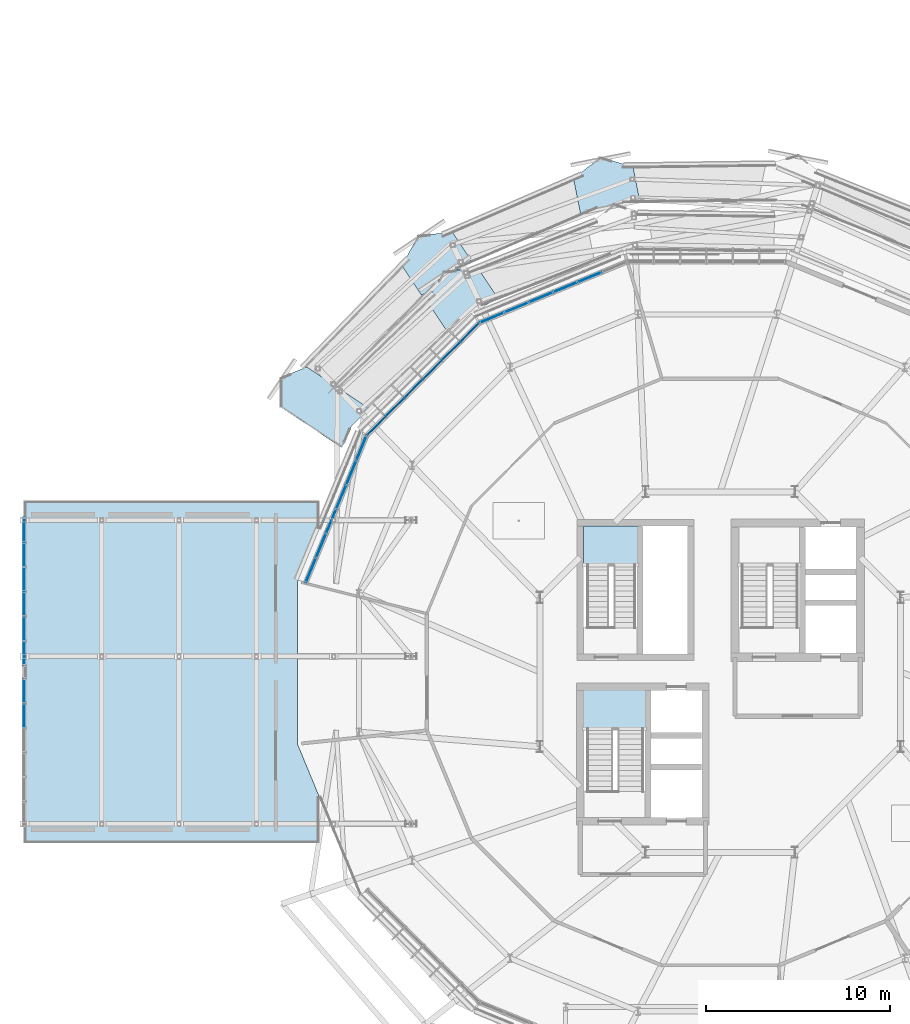
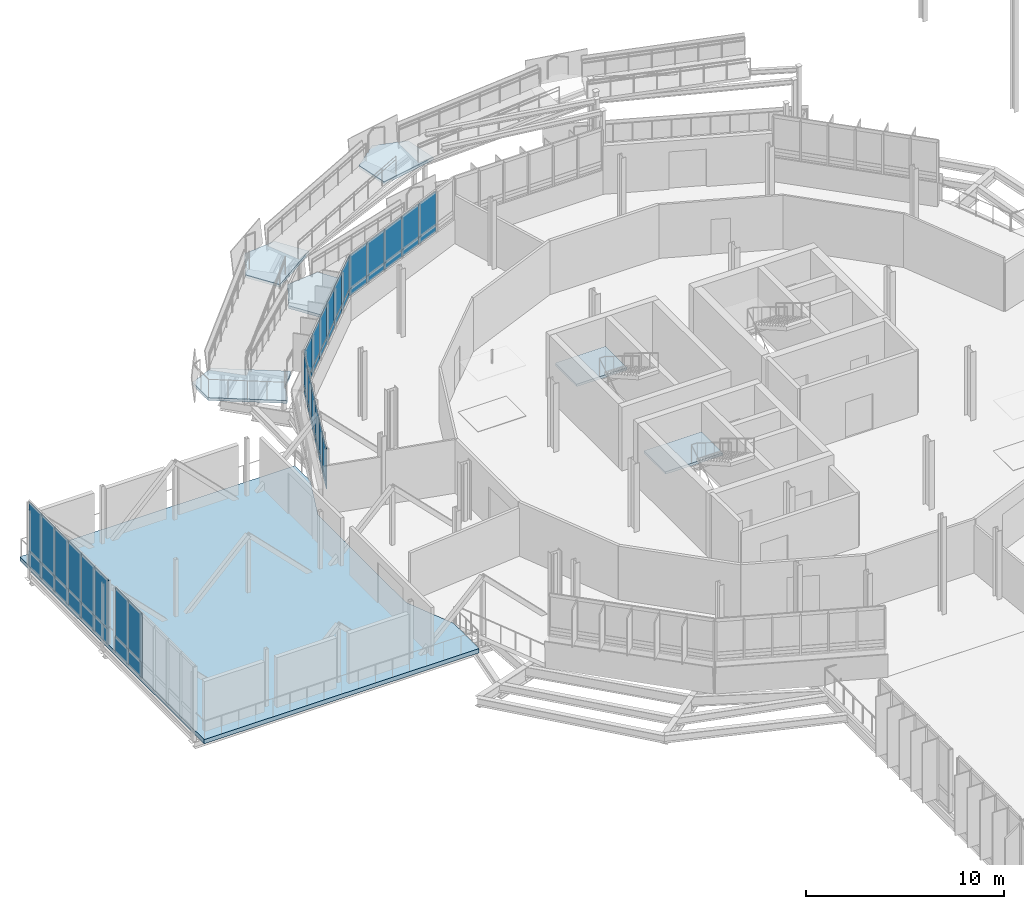
# One storey, part 77 of 107: 50 plates, 7 slabs, 8 elements without a shape of their own.
"""IFC4 building model written with IfcOpenShell, lengths in metres."""

from ifc_helpers import new_model, si_unit, derived_unit, direction, frame, origin, origin_2d, place, context, subcontext, project, spatial, polyline, rectangle, outline, extrude, material, layer, layer_set, type_object, element, aggregate, save


model = new_model("IFC4")

# Units and contexts
model_context = context("Model", 3, precision=1e-05, world=origin(), true_north=direction((0.0, 1.0)))
body_context = subcontext(model_context, "Body", "Model", "MODEL_VIEW")
ifc_project = project(units=[si_unit("LENGTHUNIT", "METRE"), si_unit("AREAUNIT", "SQUARE_METRE"), si_unit("VOLUMEUNIT", "CUBIC_METRE"), si_unit("PLANEANGLEUNIT", "RADIAN"), si_unit("MASSUNIT", "GRAM", prefix="KILO"), derived_unit("THERMALTRANSMITTANCEUNIT", [(si_unit("MASSUNIT", "GRAM", prefix="KILO"), 1), (si_unit("TIMEUNIT", "SECOND"), -3), (si_unit("THERMODYNAMICTEMPERATUREUNIT", "KELVIN"), -1)])], contexts=[model_context])

# Site, building, storey
site_placement = place(None, origin())
site = spatial("IfcSite", under=ifc_project, at=site_placement, CompositionType="ELEMENT")
building_placement = place(site_placement, origin())
building = spatial("IfcBuilding", under=site, at=building_placement, Name="Makaiwela Harbour Ferry Terminal", CompositionType="ELEMENT")
storey_placement = place(building_placement, frame((0.0, 0.0, 9.60009765625)))
storey = spatial("IfcBuildingStorey", under=building, at=storey_placement, Name="L02", CompositionType="ELEMENT", Elevation=9.60009765625)

# Curtain wall, plates
ifc_material_1 = material(Name="Marine anodised aluminium 6063-T6", Category="aluminium")
ifc_layer_1 = layer(ifc_material_1, 0.199951171875)
ifc_layer_set_1 = layer_set([ifc_layer_1], Name="Marine anodised aluminium 6063-T6")
curtain_wall_type_1 = type_object("IfcCurtainWallType", Name="ENV-CW-04", PredefinedType="USERDEFINED", material=ifc_layer_set_1)
curtain_wall_1_placement = place(storey_placement, origin())
curtain_wall_1 = element("IfcCurtainWall", 1, at=curtain_wall_1_placement, inside=storey, type_object=curtain_wall_type_1, Name="Unitised Curtain Wall CWA-022", ObjectType="UNITIZED CURTAIN WALL", PredefinedType="USERDEFINED")
ifc_material_2 = material(Name="Laminated hurricane-impact low-E insulated glazing", Category="glass")
ifc_layer_2 = layer(ifc_material_2, 0.031982421875)
ifc_layer_set_2 = layer_set([ifc_layer_2], Name="Laminated hurricane-impact low-E insulated glazing")
plate_type_1 = type_object("IfcPlateType", Name="CW-PNL-G06", PredefinedType="CURTAIN_PANEL", material=ifc_layer_set_2)
plate_1_placement = place(storey_placement, frame((30.70458984375, 89.048828125, 1.89990234375), z_axis=(0.0, 0.0, 1.0), x_axis=(-0.923879532511, -0.382683432365, 0.0)))
plate_1 = element("IfcPlate", 2, at=plate_1_placement, type_object=plate_type_1, Name="Glazed Vision Panel CWA-022-2G", PredefinedType="CURTAIN_PANEL", context=body_context, shape_type="SweptSolid", body=[
    extrude(rectangle(XDim=1.43359375, YDim=0.031982421875, at=origin_2d()), origin(), (0.0, 0.0, 1.0), 2.06005859375),
])
plate_2_placement = place(storey_placement, frame((29.3798828125, 88.500244140625, 1.89990234375), z_axis=(0.0, 0.0, 1.0), x_axis=(-0.923879532511, -0.382683432365, 0.0)))
plate_2 = element("IfcPlate", 3, at=plate_2_placement, type_object=plate_type_1, Name="Glazed Vision Panel CWA-022-3G", PredefinedType="CURTAIN_PANEL", context=body_context, shape_type="SweptSolid", body=[
    extrude(rectangle(XDim=1.43359375, YDim=0.031982421875, at=origin_2d()), origin(), (0.0, 0.0, 1.0), 2.06005859375),
])
plate_3_placement = place(storey_placement, frame((28.055419921875, 87.95166015625, 1.89990234375), z_axis=(0.0, 0.0, 1.0), x_axis=(-0.923879532511, -0.382683432365, 0.0)))
plate_3 = element("IfcPlate", 4, at=plate_3_placement, type_object=plate_type_1, Name="Glazed Vision Panel CWA-022-4G", PredefinedType="CURTAIN_PANEL", context=body_context, shape_type="SweptSolid", body=[
    extrude(rectangle(XDim=1.43359375, YDim=0.031982421875, at=origin_2d()), origin(), (0.0, 0.0, 1.0), 2.06005859375),
])
plate_4_placement = place(storey_placement, frame((26.730712890625, 87.403076171875, 1.89990234375), z_axis=(0.0, 0.0, 1.0), x_axis=(-0.923879532511, -0.382683432365, 0.0)))
plate_4 = element("IfcPlate", 5, at=plate_4_placement, type_object=plate_type_1, Name="Glazed Vision Panel CWA-022-5G", PredefinedType="CURTAIN_PANEL", context=body_context, shape_type="SweptSolid", body=[
    extrude(rectangle(XDim=1.43359375, YDim=0.031982421875, at=origin_2d()), origin(), (0.0, 0.0, 1.0), 2.06005859375),
])
plate_5_placement = place(storey_placement, frame((25.40625, 86.8544921875, 1.89990234375), z_axis=(0.0, 0.0, 1.0), x_axis=(-0.923879532511, -0.382683432365, 0.0)))
plate_5 = element("IfcPlate", 6, at=plate_5_placement, type_object=plate_type_1, Name="Glazed Vision Panel CWA-022-6G", PredefinedType="CURTAIN_PANEL", context=body_context, shape_type="SweptSolid", body=[
    extrude(rectangle(XDim=1.43359375, YDim=0.031982421875, at=origin_2d()), origin(), (0.0, 0.0, 1.0), 2.06005859375),
])

curtain_wall_2_placement = place(storey_placement, origin())
curtain_wall_2 = element("IfcCurtainWall", 7, at=curtain_wall_2_placement, inside=storey, type_object=curtain_wall_type_1, Name="Unitised Curtain Wall CWA-023", ObjectType="UNITIZED CURTAIN WALL", PredefinedType="USERDEFINED")
plate_6_placement = place(storey_placement, frame((24.188232421875, 86.04052734375, 1.89990234375), z_axis=(0.0, 0.0, 1.0), x_axis=(-0.707106781187, -0.707106781187, 0.0)))
plate_6 = element("IfcPlate", 8, at=plate_6_placement, type_object=plate_type_1, Name="Glazed Vision Panel CWA-023-1G", PredefinedType="CURTAIN_PANEL", context=body_context, shape_type="SweptSolid", body=[
    extrude(rectangle(XDim=1.43359375, YDim=0.031982421875, at=origin_2d()), origin(), (0.0, 0.0, 1.0), 2.06005859375),
])
plate_7_placement = place(storey_placement, frame((23.174560546875, 85.02685546875, 1.89990234375), z_axis=(0.0, 0.0, 1.0), x_axis=(-0.707106781187, -0.707106781187, 0.0)))
plate_7 = element("IfcPlate", 9, at=plate_7_placement, type_object=plate_type_1, Name="Glazed Vision Panel CWA-023-2G", PredefinedType="CURTAIN_PANEL", context=body_context, shape_type="SweptSolid", body=[
    extrude(rectangle(XDim=1.43359375, YDim=0.031982421875, at=origin_2d()), origin(), (0.0, 0.0, 1.0), 2.06005859375),
])
plate_8_placement = place(storey_placement, frame((22.16064453125, 84.012939453125, 1.89990234375), z_axis=(0.0, 0.0, 1.0), x_axis=(-0.707106781187, -0.707106781187, 0.0)))
plate_8 = element("IfcPlate", 10, at=plate_8_placement, type_object=plate_type_1, Name="Glazed Vision Panel CWA-023-3G", PredefinedType="CURTAIN_PANEL", context=body_context, shape_type="SweptSolid", body=[
    extrude(rectangle(XDim=1.43359375, YDim=0.031982421875, at=origin_2d()), origin(), (0.0, 0.0, 1.0), 2.06005859375),
])
plate_9_placement = place(storey_placement, frame((21.14697265625, 82.999267578125, 1.89990234375), z_axis=(0.0, 0.0, 1.0), x_axis=(-0.707106781187, -0.707106781187, 0.0)))
plate_9 = element("IfcPlate", 11, at=plate_9_placement, type_object=plate_type_1, Name="Glazed Vision Panel CWA-023-4G", PredefinedType="CURTAIN_PANEL", context=body_context, shape_type="SweptSolid", body=[
    extrude(rectangle(XDim=1.43359375, YDim=0.031982421875, at=origin_2d()), origin(), (0.0, 0.0, 1.0), 2.06005859375),
])
plate_10_placement = place(storey_placement, frame((20.13330078125, 81.985595703125, 1.89990234375), z_axis=(0.0, 0.0, 1.0), x_axis=(-0.707106781187, -0.707106781187, 0.0)))
plate_10 = element("IfcPlate", 12, at=plate_10_placement, type_object=plate_type_1, Name="Glazed Vision Panel CWA-023-5G", PredefinedType="CURTAIN_PANEL", context=body_context, shape_type="SweptSolid", body=[
    extrude(rectangle(XDim=1.43359375, YDim=0.031982421875, at=origin_2d()), origin(), (0.0, 0.0, 1.0), 2.06005859375),
])
plate_11_placement = place(storey_placement, frame((19.119384765625, 80.9716796875, 1.89990234375), z_axis=(0.0, 0.0, 1.0), x_axis=(-0.707106781187, -0.707106781187, 0.0)))
plate_11 = element("IfcPlate", 13, at=plate_11_placement, type_object=plate_type_1, Name="Glazed Vision Panel CWA-023-6G", PredefinedType="CURTAIN_PANEL", context=body_context, shape_type="SweptSolid", body=[
    extrude(rectangle(XDim=1.43359375, YDim=0.031982421875, at=origin_2d()), origin(), (0.0, 0.0, 1.0), 2.06005859375),
])

curtain_wall_3_placement = place(storey_placement, origin())
curtain_wall_3 = element("IfcCurtainWall", 14, at=curtain_wall_3_placement, inside=storey, type_object=curtain_wall_type_1, Name="Unitised Curtain Wall CWA-024", ObjectType="UNITIZED CURTAIN WALL", PredefinedType="USERDEFINED")
plate_12_placement = place(storey_placement, frame((18.3056640625, 79.753662109375, 1.89990234375), z_axis=(0.0, 0.0, 1.0), x_axis=(-0.382683432365, -0.923879532511, 0.0)))
plate_12 = element("IfcPlate", 15, at=plate_12_placement, type_object=plate_type_1, Name="Glazed Vision Panel CWA-024-1G", PredefinedType="CURTAIN_PANEL", context=body_context, shape_type="SweptSolid", body=[
    extrude(rectangle(XDim=1.43359375, YDim=0.031982421875, at=origin_2d()), origin(), (0.0, 0.0, 1.0), 2.06005859375),
])
plate_13_placement = place(storey_placement, frame((17.7568359375, 78.42919921875, 1.89990234375), z_axis=(0.0, 0.0, 1.0), x_axis=(-0.382683432365, -0.923879532511, 0.0)))
plate_13 = element("IfcPlate", 16, at=plate_13_placement, type_object=plate_type_1, Name="Glazed Vision Panel CWA-024-2G", PredefinedType="CURTAIN_PANEL", context=body_context, shape_type="SweptSolid", body=[
    extrude(rectangle(XDim=1.43359375, YDim=0.031982421875, at=origin_2d()), origin(), (0.0, 0.0, 1.0), 2.06005859375),
])
plate_14_placement = place(storey_placement, frame((17.208251953125, 77.1044921875, 1.89990234375), z_axis=(0.0, 0.0, 1.0), x_axis=(-0.382683432365, -0.923879532511, 0.0)))
plate_14 = element("IfcPlate", 17, at=plate_14_placement, type_object=plate_type_1, Name="Glazed Vision Panel CWA-024-3G", PredefinedType="CURTAIN_PANEL", context=body_context, shape_type="SweptSolid", body=[
    extrude(rectangle(XDim=1.43359375, YDim=0.031982421875, at=origin_2d()), origin(), (0.0, 0.0, 1.0), 2.06005859375),
])
plate_15_placement = place(storey_placement, frame((16.65966796875, 75.780029296875, 1.89990234375), z_axis=(0.0, 0.0, 1.0), x_axis=(-0.382683432365, -0.923879532511, 0.0)))
plate_15 = element("IfcPlate", 18, at=plate_15_placement, type_object=plate_type_1, Name="Glazed Vision Panel CWA-024-4G", PredefinedType="CURTAIN_PANEL", context=body_context, shape_type="SweptSolid", body=[
    extrude(rectangle(XDim=1.43359375, YDim=0.031982421875, at=origin_2d()), origin(), (0.0, 0.0, 1.0), 2.06005859375),
])
plate_16_placement = place(storey_placement, frame((16.111083984375, 74.45556640625, 1.89990234375), z_axis=(0.0, 0.0, 1.0), x_axis=(-0.382683432365, -0.923879532511, 0.0)))
plate_16 = element("IfcPlate", 19, at=plate_16_placement, type_object=plate_type_1, Name="Glazed Vision Panel CWA-024-5G", PredefinedType="CURTAIN_PANEL", context=body_context, shape_type="SweptSolid", body=[
    extrude(rectangle(XDim=1.43359375, YDim=0.031982421875, at=origin_2d()), origin(), (0.0, 0.0, 1.0), 2.06005859375),
])
plate_17_placement = place(storey_placement, frame((15.5625, 73.131103515625, 1.89990234375), z_axis=(0.0, 0.0, 1.0), x_axis=(-0.382683432365, -0.923879532511, 0.0)))
plate_17 = element("IfcPlate", 20, at=plate_17_placement, type_object=plate_type_1, Name="Glazed Vision Panel CWA-024-6G", PredefinedType="CURTAIN_PANEL", context=body_context, shape_type="SweptSolid", body=[
    extrude(rectangle(XDim=1.43359375, YDim=0.031982421875, at=origin_2d()), origin(), (0.0, 0.0, 1.0), 2.06005859375),
])

ifc_layer_3 = layer(ifc_material_1, 0.199951171875)
ifc_layer_set_3 = layer_set([ifc_layer_3], Name="Marine anodised aluminium 6063-T6")
curtain_wall_type_2 = type_object("IfcCurtainWallType", Name="ENV-CW-23", PredefinedType="USERDEFINED", material=ifc_layer_set_3)
curtain_wall_4_placement = place(storey_placement, origin())
curtain_wall_4 = element("IfcCurtainWall", 21, at=curtain_wall_4_placement, inside=storey, type_object=curtain_wall_type_2, Name="Unitised Curtain Wall CWA-138", ObjectType="UNITIZED CURTAIN WALL", PredefinedType="USERDEFINED")
ifc_layer_4 = layer(ifc_material_2, 0.031982421875)
ifc_layer_set_4 = layer_set([ifc_layer_4], Name="Laminated hurricane-impact low-E insulated glazing")
plate_type_2 = type_object("IfcPlateType", Name="CW-PNL-G29", PredefinedType="CURTAIN_PANEL", material=ifc_layer_set_4)
plate_18_placement = place(storey_placement, frame((0.0, 65.237548828125, 0.949951171875), z_axis=(0.0, 0.0, 1.0), x_axis=(0.0, 1.0, 0.0)))
plate_18 = element("IfcPlate", 22, at=plate_18_placement, type_object=plate_type_2, Name="Glazed Vision Panel CWA-138-5G", PredefinedType="CURTAIN_PANEL", context=body_context, shape_type="SweptSolid", body=[
    extrude(rectangle(XDim=1.3349609375, YDim=0.031982421875, at=origin_2d()), origin(), (0.0, 0.0, 1.0), 3.0),
])
plate_19_placement = place(storey_placement, frame((0.0, 66.572509765625, 0.949951171875), z_axis=(0.0, 0.0, 1.0), x_axis=(0.0, 1.0, 0.0)))
plate_19 = element("IfcPlate", 23, at=plate_19_placement, type_object=plate_type_2, Name="Glazed Vision Panel CWA-138-6G", PredefinedType="CURTAIN_PANEL", context=body_context, shape_type="SweptSolid", body=[
    extrude(rectangle(XDim=1.3349609375, YDim=0.031982421875, at=origin_2d()), origin(), (0.0, 0.0, 1.0), 3.0),
])

curtain_wall_5_placement = place(storey_placement, origin())
curtain_wall_5 = element("IfcCurtainWall", 24, at=curtain_wall_5_placement, inside=storey, type_object=curtain_wall_type_2, Name="Unitised Curtain Wall CWA-139", ObjectType="UNITIZED CURTAIN WALL", PredefinedType="USERDEFINED")
plate_20_placement = place(storey_placement, frame((0.0, 68.62744140625, 0.949951171875), z_axis=(0.0, 0.0, 1.0), x_axis=(0.0, 1.0, 0.0)))
plate_20 = element("IfcPlate", 25, at=plate_20_placement, type_object=plate_type_2, Name="Glazed Vision Panel CWA-139-1G", PredefinedType="CURTAIN_PANEL", context=body_context, shape_type="SweptSolid", body=[
    extrude(rectangle(XDim=1.3349609375, YDim=0.031982421875, at=origin_2d()), origin(), (0.0, 0.0, 1.0), 3.0),
])
plate_21_placement = place(storey_placement, frame((0.0, 69.96240234375, 0.949951171875), z_axis=(0.0, 0.0, 1.0), x_axis=(0.0, 1.0, 0.0)))
plate_21 = element("IfcPlate", 26, at=plate_21_placement, type_object=plate_type_2, Name="Glazed Vision Panel CWA-139-2G", PredefinedType="CURTAIN_PANEL", context=body_context, shape_type="SweptSolid", body=[
    extrude(rectangle(XDim=1.3349609375, YDim=0.031982421875, at=origin_2d()), origin(), (0.0, 0.0, 1.0), 3.0),
])
plate_22_placement = place(storey_placement, frame((0.0, 71.297607421875, 0.949951171875), z_axis=(0.0, 0.0, 1.0), x_axis=(0.0, 1.0, 0.0)))
plate_22 = element("IfcPlate", 27, at=plate_22_placement, type_object=plate_type_2, Name="Glazed Vision Panel CWA-139-3G", PredefinedType="CURTAIN_PANEL", context=body_context, shape_type="SweptSolid", body=[
    extrude(rectangle(XDim=1.3349609375, YDim=0.031982421875, at=origin_2d()), origin(), (0.0, 0.0, 1.0), 3.0),
])
plate_23_placement = place(storey_placement, frame((0.0, 72.632568359375, 0.949951171875), z_axis=(0.0, 0.0, 1.0), x_axis=(0.0, 1.0, 0.0)))
plate_23 = element("IfcPlate", 28, at=plate_23_placement, type_object=plate_type_2, Name="Glazed Vision Panel CWA-139-4G", PredefinedType="CURTAIN_PANEL", context=body_context, shape_type="SweptSolid", body=[
    extrude(rectangle(XDim=1.3349609375, YDim=0.031982421875, at=origin_2d()), origin(), (0.0, 0.0, 1.0), 3.0),
])
plate_24_placement = place(storey_placement, frame((0.0, 73.967529296875, 0.949951171875), z_axis=(0.0, 0.0, 1.0), x_axis=(0.0, 1.0, 0.0)))
plate_24 = element("IfcPlate", 29, at=plate_24_placement, type_object=plate_type_2, Name="Glazed Vision Panel CWA-139-5G", PredefinedType="CURTAIN_PANEL", context=body_context, shape_type="SweptSolid", body=[
    extrude(rectangle(XDim=1.3349609375, YDim=0.031982421875, at=origin_2d()), origin(), (0.0, 0.0, 1.0), 3.0),
])
plate_25_placement = place(storey_placement, frame((0.0, 75.302490234375, 0.949951171875), z_axis=(0.0, 0.0, 1.0), x_axis=(0.0, 1.0, 0.0)))
plate_25 = element("IfcPlate", 30, at=plate_25_placement, type_object=plate_type_2, Name="Glazed Vision Panel CWA-139-6G", PredefinedType="CURTAIN_PANEL", context=body_context, shape_type="SweptSolid", body=[
    extrude(rectangle(XDim=1.3349609375, YDim=0.031982421875, at=origin_2d()), origin(), (0.0, 0.0, 1.0), 3.0),
])

# Plate
ifc_material_3 = material(Name="Insulated marine aluminium spandrel panel", Category="aluminium")
ifc_layer_5 = layer(ifc_material_3, 0.048095703125)
ifc_layer_set_5 = layer_set([ifc_layer_5], Name="Insulated marine aluminium spandrel panel")
plate_type_3 = type_object("IfcPlateType", Name="CW-PNL-S04", PredefinedType="CURTAIN_PANEL", material=ifc_layer_set_5)
plate_26_placement = place(storey_placement, frame((30.70458984375, 89.048828125, 1.47998046875), z_axis=(0.0, 0.0, 1.0), x_axis=(-0.923879532511, -0.382683432365, 0.0)))
plate_26 = element("IfcPlate", 31, at=plate_26_placement, type_object=plate_type_3, Name="Spandrel Panel CWA-022-2S", PredefinedType="CURTAIN_PANEL", context=body_context, shape_type="SweptSolid", body=[
    extrude(rectangle(XDim=1.43359375, YDim=0.048095703125, at=origin_2d()), origin(), (0.0, 0.0, 1.0), 0.419921875),
])

plate_27_placement = place(storey_placement, frame((29.3798828125, 88.500244140625, 1.47998046875), z_axis=(0.0, 0.0, 1.0), x_axis=(-0.923879532511, -0.382683432365, 0.0)))
plate_27 = element("IfcPlate", 32, at=plate_27_placement, type_object=plate_type_3, Name="Spandrel Panel CWA-022-3S", PredefinedType="CURTAIN_PANEL", context=body_context, shape_type="SweptSolid", body=[
    extrude(rectangle(XDim=1.43359375, YDim=0.048095703125, at=origin_2d()), origin(), (0.0, 0.0, 1.0), 0.419921875),
])

plate_28_placement = place(storey_placement, frame((28.055419921875, 87.95166015625, 1.47998046875), z_axis=(0.0, 0.0, 1.0), x_axis=(-0.923879532511, -0.382683432365, 0.0)))
plate_28 = element("IfcPlate", 33, at=plate_28_placement, type_object=plate_type_3, Name="Spandrel Panel CWA-022-4S", PredefinedType="CURTAIN_PANEL", context=body_context, shape_type="SweptSolid", body=[
    extrude(rectangle(XDim=1.43359375, YDim=0.048095703125, at=origin_2d()), origin(), (0.0, 0.0, 1.0), 0.419921875),
])

plate_29_placement = place(storey_placement, frame((26.730712890625, 87.403076171875, 1.47998046875), z_axis=(0.0, 0.0, 1.0), x_axis=(-0.923879532511, -0.382683432365, 0.0)))
plate_29 = element("IfcPlate", 34, at=plate_29_placement, type_object=plate_type_3, Name="Spandrel Panel CWA-022-5S", PredefinedType="CURTAIN_PANEL", context=body_context, shape_type="SweptSolid", body=[
    extrude(rectangle(XDim=1.43359375, YDim=0.048095703125, at=origin_2d()), origin(), (0.0, 0.0, 1.0), 0.419921875),
])

plate_30_placement = place(storey_placement, frame((25.40625, 86.8544921875, 1.47998046875), z_axis=(0.0, 0.0, 1.0), x_axis=(-0.923879532511, -0.382683432365, 0.0)))
plate_30 = element("IfcPlate", 35, at=plate_30_placement, type_object=plate_type_3, Name="Spandrel Panel CWA-022-6S", PredefinedType="CURTAIN_PANEL", context=body_context, shape_type="SweptSolid", body=[
    extrude(rectangle(XDim=1.43359375, YDim=0.048095703125, at=origin_2d()), origin(), (0.0, 0.0, 1.0), 0.419921875),
])

aggregate(curtain_wall_1, [plate_26, plate_1, plate_27, plate_2, plate_28, plate_3, plate_29, plate_4, plate_30, plate_5])

plate_31_placement = place(storey_placement, frame((24.188232421875, 86.04052734375, 1.47998046875), z_axis=(0.0, 0.0, 1.0), x_axis=(-0.707106781187, -0.707106781187, 0.0)))
plate_31 = element("IfcPlate", 36, at=plate_31_placement, type_object=plate_type_3, Name="Spandrel Panel CWA-023-1S", PredefinedType="CURTAIN_PANEL", context=body_context, shape_type="SweptSolid", body=[
    extrude(rectangle(XDim=1.43359375, YDim=0.048095703125, at=origin_2d()), origin(), (0.0, 0.0, 1.0), 0.419921875),
])

plate_32_placement = place(storey_placement, frame((23.174560546875, 85.02685546875, 1.47998046875), z_axis=(0.0, 0.0, 1.0), x_axis=(-0.707106781187, -0.707106781187, 0.0)))
plate_32 = element("IfcPlate", 37, at=plate_32_placement, type_object=plate_type_3, Name="Spandrel Panel CWA-023-2S", PredefinedType="CURTAIN_PANEL", context=body_context, shape_type="SweptSolid", body=[
    extrude(rectangle(XDim=1.43359375, YDim=0.048095703125, at=origin_2d()), origin(), (0.0, 0.0, 1.0), 0.419921875),
])

plate_33_placement = place(storey_placement, frame((22.16064453125, 84.012939453125, 1.47998046875), z_axis=(0.0, 0.0, 1.0), x_axis=(-0.707106781187, -0.707106781187, 0.0)))
plate_33 = element("IfcPlate", 38, at=plate_33_placement, type_object=plate_type_3, Name="Spandrel Panel CWA-023-3S", PredefinedType="CURTAIN_PANEL", context=body_context, shape_type="SweptSolid", body=[
    extrude(rectangle(XDim=1.43359375, YDim=0.048095703125, at=origin_2d()), origin(), (0.0, 0.0, 1.0), 0.419921875),
])

plate_34_placement = place(storey_placement, frame((21.14697265625, 82.999267578125, 1.47998046875), z_axis=(0.0, 0.0, 1.0), x_axis=(-0.707106781187, -0.707106781187, 0.0)))
plate_34 = element("IfcPlate", 39, at=plate_34_placement, type_object=plate_type_3, Name="Spandrel Panel CWA-023-4S", PredefinedType="CURTAIN_PANEL", context=body_context, shape_type="SweptSolid", body=[
    extrude(rectangle(XDim=1.43359375, YDim=0.048095703125, at=origin_2d()), origin(), (0.0, 0.0, 1.0), 0.419921875),
])

plate_35_placement = place(storey_placement, frame((20.13330078125, 81.985595703125, 1.47998046875), z_axis=(0.0, 0.0, 1.0), x_axis=(-0.707106781187, -0.707106781187, 0.0)))
plate_35 = element("IfcPlate", 40, at=plate_35_placement, type_object=plate_type_3, Name="Spandrel Panel CWA-023-5S", PredefinedType="CURTAIN_PANEL", context=body_context, shape_type="SweptSolid", body=[
    extrude(rectangle(XDim=1.43359375, YDim=0.048095703125, at=origin_2d()), origin(), (0.0, 0.0, 1.0), 0.419921875),
])

plate_36_placement = place(storey_placement, frame((19.119384765625, 80.9716796875, 1.47998046875), z_axis=(0.0, 0.0, 1.0), x_axis=(-0.707106781187, -0.707106781187, 0.0)))
plate_36 = element("IfcPlate", 41, at=plate_36_placement, type_object=plate_type_3, Name="Spandrel Panel CWA-023-6S", PredefinedType="CURTAIN_PANEL", context=body_context, shape_type="SweptSolid", body=[
    extrude(rectangle(XDim=1.43359375, YDim=0.048095703125, at=origin_2d()), origin(), (0.0, 0.0, 1.0), 0.419921875),
])

aggregate(curtain_wall_2, [plate_31, plate_6, plate_32, plate_7, plate_33, plate_8, plate_34, plate_9, plate_35, plate_10, plate_36, plate_11])

plate_37_placement = place(storey_placement, frame((18.3056640625, 79.753662109375, 1.47998046875), z_axis=(0.0, 0.0, 1.0), x_axis=(-0.382683432365, -0.923879532511, 0.0)))
plate_37 = element("IfcPlate", 42, at=plate_37_placement, type_object=plate_type_3, Name="Spandrel Panel CWA-024-1S", PredefinedType="CURTAIN_PANEL", context=body_context, shape_type="SweptSolid", body=[
    extrude(rectangle(XDim=1.43359375, YDim=0.048095703125, at=origin_2d()), origin(), (0.0, 0.0, 1.0), 0.419921875),
])

plate_38_placement = place(storey_placement, frame((17.7568359375, 78.42919921875, 1.47998046875), z_axis=(0.0, 0.0, 1.0), x_axis=(-0.382683432365, -0.923879532511, 0.0)))
plate_38 = element("IfcPlate", 43, at=plate_38_placement, type_object=plate_type_3, Name="Spandrel Panel CWA-024-2S", PredefinedType="CURTAIN_PANEL", context=body_context, shape_type="SweptSolid", body=[
    extrude(rectangle(XDim=1.43359375, YDim=0.048095703125, at=origin_2d()), origin(), (0.0, 0.0, 1.0), 0.419921875),
])

plate_39_placement = place(storey_placement, frame((17.208251953125, 77.1044921875, 1.47998046875), z_axis=(0.0, 0.0, 1.0), x_axis=(-0.382683432365, -0.923879532511, 0.0)))
plate_39 = element("IfcPlate", 44, at=plate_39_placement, type_object=plate_type_3, Name="Spandrel Panel CWA-024-3S", PredefinedType="CURTAIN_PANEL", context=body_context, shape_type="SweptSolid", body=[
    extrude(rectangle(XDim=1.43359375, YDim=0.048095703125, at=origin_2d()), origin(), (0.0, 0.0, 1.0), 0.419921875),
])

plate_40_placement = place(storey_placement, frame((16.65966796875, 75.780029296875, 1.47998046875), z_axis=(0.0, 0.0, 1.0), x_axis=(-0.382683432365, -0.923879532511, 0.0)))
plate_40 = element("IfcPlate", 45, at=plate_40_placement, type_object=plate_type_3, Name="Spandrel Panel CWA-024-4S", PredefinedType="CURTAIN_PANEL", context=body_context, shape_type="SweptSolid", body=[
    extrude(rectangle(XDim=1.43359375, YDim=0.048095703125, at=origin_2d()), origin(), (0.0, 0.0, 1.0), 0.419921875),
])

plate_41_placement = place(storey_placement, frame((16.111083984375, 74.45556640625, 1.47998046875), z_axis=(0.0, 0.0, 1.0), x_axis=(-0.382683432365, -0.923879532511, 0.0)))
plate_41 = element("IfcPlate", 46, at=plate_41_placement, type_object=plate_type_3, Name="Spandrel Panel CWA-024-5S", PredefinedType="CURTAIN_PANEL", context=body_context, shape_type="SweptSolid", body=[
    extrude(rectangle(XDim=1.43359375, YDim=0.048095703125, at=origin_2d()), origin(), (0.0, 0.0, 1.0), 0.419921875),
])

plate_42_placement = place(storey_placement, frame((15.5625, 73.131103515625, 1.47998046875), z_axis=(0.0, 0.0, 1.0), x_axis=(-0.382683432365, -0.923879532511, 0.0)))
plate_42 = element("IfcPlate", 47, at=plate_42_placement, type_object=plate_type_3, Name="Spandrel Panel CWA-024-6S", PredefinedType="CURTAIN_PANEL", context=body_context, shape_type="SweptSolid", body=[
    extrude(rectangle(XDim=1.43359375, YDim=0.048095703125, at=origin_2d()), origin(), (0.0, 0.0, 1.0), 0.419921875),
])

aggregate(curtain_wall_3, [plate_37, plate_12, plate_38, plate_13, plate_39, plate_14, plate_40, plate_15, plate_41, plate_16, plate_42, plate_17])

ifc_layer_6 = layer(ifc_material_3, 0.048095703125)
ifc_layer_set_6 = layer_set([ifc_layer_6], Name="Insulated marine aluminium spandrel panel")
plate_type_4 = type_object("IfcPlateType", Name="CW-PNL-S27", PredefinedType="CURTAIN_PANEL", material=ifc_layer_set_6)
plate_43_placement = place(storey_placement, frame((0.0, 65.237548828125, 0.0), z_axis=(0.0, 0.0, 1.0), x_axis=(0.0, 1.0, 0.0)))
plate_43 = element("IfcPlate", 48, at=plate_43_placement, type_object=plate_type_4, Name="Spandrel Panel CWA-138-5S", PredefinedType="CURTAIN_PANEL", context=body_context, shape_type="SweptSolid", body=[
    extrude(rectangle(XDim=1.3349609375, YDim=0.048095703125, at=origin_2d()), origin(), (0.0, 0.0, 1.0), 0.949951171875),
])

plate_44_placement = place(storey_placement, frame((0.0, 66.572509765625, 0.0), z_axis=(0.0, 0.0, 1.0), x_axis=(0.0, 1.0, 0.0)))
plate_44 = element("IfcPlate", 49, at=plate_44_placement, type_object=plate_type_4, Name="Spandrel Panel CWA-138-6S", PredefinedType="CURTAIN_PANEL", context=body_context, shape_type="SweptSolid", body=[
    extrude(rectangle(XDim=1.3349609375, YDim=0.048095703125, at=origin_2d()), origin(), (0.0, 0.0, 1.0), 0.949951171875),
])

aggregate(curtain_wall_4, [plate_43, plate_18, plate_44, plate_19])

plate_45_placement = place(storey_placement, frame((0.0, 68.62744140625, 0.0), z_axis=(0.0, 0.0, 1.0), x_axis=(0.0, 1.0, 0.0)))
plate_45 = element("IfcPlate", 50, at=plate_45_placement, type_object=plate_type_4, Name="Spandrel Panel CWA-139-1S", PredefinedType="CURTAIN_PANEL", context=body_context, shape_type="SweptSolid", body=[
    extrude(rectangle(XDim=1.3349609375, YDim=0.048095703125, at=origin_2d()), origin(), (0.0, 0.0, 1.0), 0.949951171875),
])

plate_46_placement = place(storey_placement, frame((0.0, 69.96240234375, 0.0), z_axis=(0.0, 0.0, 1.0), x_axis=(0.0, 1.0, 0.0)))
plate_46 = element("IfcPlate", 51, at=plate_46_placement, type_object=plate_type_4, Name="Spandrel Panel CWA-139-2S", PredefinedType="CURTAIN_PANEL", context=body_context, shape_type="SweptSolid", body=[
    extrude(rectangle(XDim=1.3349609375, YDim=0.048095703125, at=origin_2d()), origin(), (0.0, 0.0, 1.0), 0.949951171875),
])

plate_47_placement = place(storey_placement, frame((0.0, 71.297607421875, 0.0), z_axis=(0.0, 0.0, 1.0), x_axis=(0.0, 1.0, 0.0)))
plate_47 = element("IfcPlate", 52, at=plate_47_placement, type_object=plate_type_4, Name="Spandrel Panel CWA-139-3S", PredefinedType="CURTAIN_PANEL", context=body_context, shape_type="SweptSolid", body=[
    extrude(rectangle(XDim=1.3349609375, YDim=0.048095703125, at=origin_2d()), origin(), (0.0, 0.0, 1.0), 0.949951171875),
])

plate_48_placement = place(storey_placement, frame((0.0, 72.632568359375, 0.0), z_axis=(0.0, 0.0, 1.0), x_axis=(0.0, 1.0, 0.0)))
plate_48 = element("IfcPlate", 53, at=plate_48_placement, type_object=plate_type_4, Name="Spandrel Panel CWA-139-4S", PredefinedType="CURTAIN_PANEL", context=body_context, shape_type="SweptSolid", body=[
    extrude(rectangle(XDim=1.3349609375, YDim=0.048095703125, at=origin_2d()), origin(), (0.0, 0.0, 1.0), 0.949951171875),
])

plate_49_placement = place(storey_placement, frame((0.0, 73.967529296875, 0.0), z_axis=(0.0, 0.0, 1.0), x_axis=(0.0, 1.0, 0.0)))
plate_49 = element("IfcPlate", 54, at=plate_49_placement, type_object=plate_type_4, Name="Spandrel Panel CWA-139-5S", PredefinedType="CURTAIN_PANEL", context=body_context, shape_type="SweptSolid", body=[
    extrude(rectangle(XDim=1.3349609375, YDim=0.048095703125, at=origin_2d()), origin(), (0.0, 0.0, 1.0), 0.949951171875),
])

plate_50_placement = place(storey_placement, frame((0.0, 75.302490234375, 0.0), z_axis=(0.0, 0.0, 1.0), x_axis=(0.0, 1.0, 0.0)))
plate_50 = element("IfcPlate", 55, at=plate_50_placement, type_object=plate_type_4, Name="Spandrel Panel CWA-139-6S", PredefinedType="CURTAIN_PANEL", context=body_context, shape_type="SweptSolid", body=[
    extrude(rectangle(XDim=1.3349609375, YDim=0.048095703125, at=origin_2d()), origin(), (0.0, 0.0, 1.0), 0.949951171875),
])

aggregate(curtain_wall_5, [plate_45, plate_20, plate_46, plate_21, plate_47, plate_22, plate_48, plate_23, plate_49, plate_24, plate_50, plate_25])

# Slab
ifc_material_4 = material(Name="Concrete f'c 35 MPa (5000 psi)", Category="concrete")
ifc_layer_7 = layer(ifc_material_4, 0.260009765625)
ifc_layer_set_7 = layer_set([ifc_layer_7], Name="Concrete f'c 35 MPa (5000 psi)")
slab_type_1 = type_object("IfcSlabType", Name="SLB-FLR-260", PredefinedType="FLOOR", material=ifc_layer_set_7)
slab_1_placement = place(storey_placement, frame((0.0, 0.0, -0.260009765625)))
element("IfcSlab", 56, at=slab_1_placement, inside=storey, type_object=slab_type_1, Name="Slab SLB-028", PredefinedType="FLOOR", context=body_context, shape_type="SweptSolid", body=[
    extrude(outline(polyline([(16.0, 60.873779296875), (14.833251953125, 63.691162109375), (14.83349609375, 72.529541015625), (16.0, 75.34619140625), (16.0, 76.8798828125), (0.0, 76.8798828125), (0.0, 58.320068359375), (16.0, 58.320068359375), (16.0, 60.873779296875)])), origin(), (0.0, 0.0, 1.0), 0.260009765625),
])

# Stair, slab
stair_type_1 = type_object("IfcStairType", Name="CIR-STR-A03", PredefinedType="HALF_TURN_STAIR", material=ifc_material_4)
stair_1_placement = place(storey_placement, origin())
stair_1 = element("IfcStair", 57, at=stair_1_placement, inside=storey, type_object=stair_type_1, Name="Stair ST-02-L02", PredefinedType="HALF_TURN_STAIR")
ifc_layer_8 = layer(ifc_material_4, 0.14990234375)
ifc_layer_set_8 = layer_set([ifc_layer_8], Name="Concrete f'c 35 MPa (5000 psi)")
slab_type_2 = type_object("IfcSlabType", Name="SLB-LND-150", PredefinedType="LANDING", material=ifc_layer_set_8)
slab_2_placement = place(storey_placement, frame((0.0, 0.0, 1.949951171875)))
slab_2 = element("IfcSlab", 58, at=slab_2_placement, type_object=slab_type_2, Name="Stair Half Landing LND-08", PredefinedType="LANDING", context=body_context, shape_type="SweptSolid", body=[
    extrude(outline(polyline([(30.385009765625, 64.469970703125), (33.72705078125, 64.469970703125), (33.72705078125, 66.614990234375), (30.385009765625, 66.614990234375), (30.385009765625, 64.469970703125)])), origin(), (0.0, 0.0, 1.0), 0.14990234375),
])
aggregate(stair_1, [slab_2])

stair_type_2 = type_object("IfcStairType", Name="CIR-STR-A07", PredefinedType="HALF_TURN_STAIR", material=ifc_material_4)
stair_2_placement = place(storey_placement, origin())
stair_2 = element("IfcStair", 59, at=stair_2_placement, inside=storey, type_object=stair_type_2, Name="Stair ST-03-L02", PredefinedType="HALF_TURN_STAIR")
slab_3_placement = place(storey_placement, frame((0.0, 0.0, 1.949951171875)))
slab_3 = element("IfcSlab", 60, at=slab_3_placement, type_object=slab_type_2, Name="Stair Half Landing LND-13", PredefinedType="LANDING", context=body_context, shape_type="SweptSolid", body=[
    extrude(outline(polyline([(30.364990234375, 73.3701171875), (33.294921875, 73.3701171875), (33.294921875, 75.534912109375), (30.364990234375, 75.534912109375), (30.364990234375, 73.3701171875)])), origin(), (0.0, 0.0, 1.0), 0.14990234375),
])
aggregate(stair_2, [slab_3])

# Ramp, slabs
ramp_type = type_object("IfcRampType", Name="CIR-RMP-ASSY", PredefinedType="STRAIGHT_RUN_RAMP", material=ifc_material_4)
ramp_placement = place(storey_placement, origin())
ramp = element("IfcRamp", 61, at=ramp_placement, inside=storey, type_object=ramp_type, Name="External Coiled Promenade Ramp L02 to L03", PredefinedType="STRAIGHT_RUN_RAMP")
ifc_layer_9 = layer(ifc_material_4, 0.169921875)
ifc_layer_set_9 = layer_set([ifc_layer_9], Name="Concrete f'c 35 MPa (5000 psi)")
slab_type_3 = type_object("IfcSlabType", Name="SLB-LND-170", PredefinedType="LANDING", material=ifc_layer_set_9)
slab_4_placement = place(storey_placement, frame((0.0, 0.0, 1.02978515625)))
slab_4 = element("IfcSlab", 62, at=slab_4_placement, type_object=slab_type_3, Name="Promenade Ramp Landing RMP-COIL-L02-LI2", PredefinedType="LANDING", context=body_context, shape_type="SweptSolid", body=[
    extrude(outline(polyline([(23.53076171875, 86.485107421875), (24.226806640625, 87.180908203125), (24.226806640625, 87.18115234375), (24.22705078125, 87.181396484375), (24.227294921875, 87.181396484375), (24.227294921875, 87.181396484375), (25.13671875, 87.55810546875), (25.705810546875, 87.938232421875), (24.6279296875, 89.551513671875), (22.772705078125, 89.358154296875), (21.884033203125, 87.718017578125), (22.9619140625, 86.10498046875), (23.53076171875, 86.485107421875)])), origin(), (0.0, 0.0, 1.0), 0.170166015625),
])
slab_5_placement = place(storey_placement, frame((0.0, 0.0, 1.6298828125)))
slab_5 = element("IfcSlab", 63, at=slab_5_placement, type_object=slab_type_3, Name="Promenade Ramp Landing RMP-COIL-L02-UTURN", PredefinedType="LANDING", context=body_context, shape_type="SweptSolid", body=[
    extrude(outline(polyline([(17.41064453125, 80.0693359375), (17.787353515625, 80.978759765625), (17.787353515625, 80.97900390625), (17.787353515625, 80.97900390625), (17.78759765625, 80.979248046875), (17.78759765625, 80.9794921875), (18.4833984375, 81.67529296875), (18.669189453125, 81.953369140625), (15.343505859375, 84.175537109375), (13.897705078125, 83.577880859375), (13.89892578125, 82.013916015625), (17.224853515625, 79.79150390625), (17.41064453125, 80.0693359375)])), origin(), (0.0, 0.0, 1.0), 0.169921875),
])
slab_6_placement = place(storey_placement, frame((0.0, 0.0, 2.22998046875)))
slab_6 = element("IfcSlab", 64, at=slab_6_placement, type_object=slab_type_3, Name="Promenade Ramp Landing RMP-COIL-L02-LO1", PredefinedType="LANDING", context=body_context, shape_type="SweptSolid", body=[
    extrude(outline(polyline([(24.317626953125, 89.896240234375), (23.245361328125, 91.5009765625), (21.39013671875, 91.3076171875), (20.50146484375, 89.66748046875), (21.57373046875, 88.06298828125), (24.317626953125, 89.896240234375)])), origin(), (0.0, 0.0, 1.0), 0.169921875),
])
slab_7_placement = place(storey_placement, frame((0.0, 0.0, 2.829833984375)))
slab_7 = element("IfcSlab", 65, at=slab_7_placement, type_object=slab_type_3, Name="Promenade Ramp Landing RMP-COIL-L02-LO2", PredefinedType="LANDING", context=body_context, shape_type="SweptSolid", body=[
    extrude(outline(polyline([(33.44189453125, 93.146484375), (33.0654296875, 95.03955078125), (31.27734375, 95.57080078125), (29.828857421875, 94.395751953125), (30.205322265625, 92.502685546875), (33.44189453125, 93.146484375)])), origin(), (0.0, 0.0, 1.0), 0.170166015625),
])
aggregate(ramp, [slab_4, slab_5, slab_6, slab_7])

save(model, "model.ifc")
